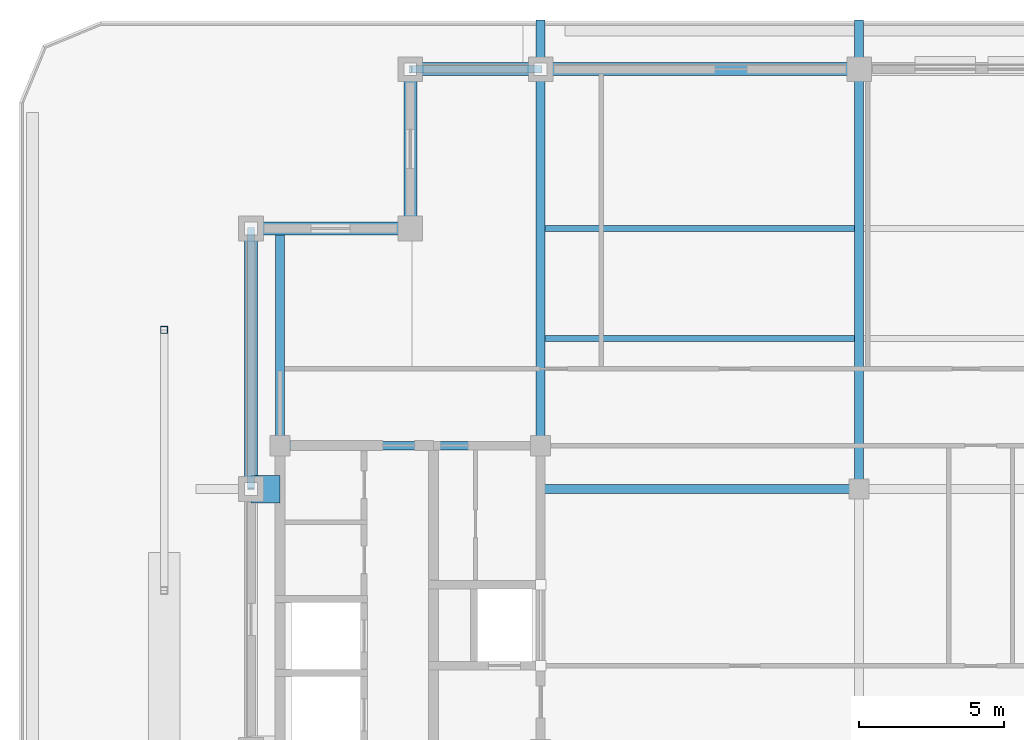
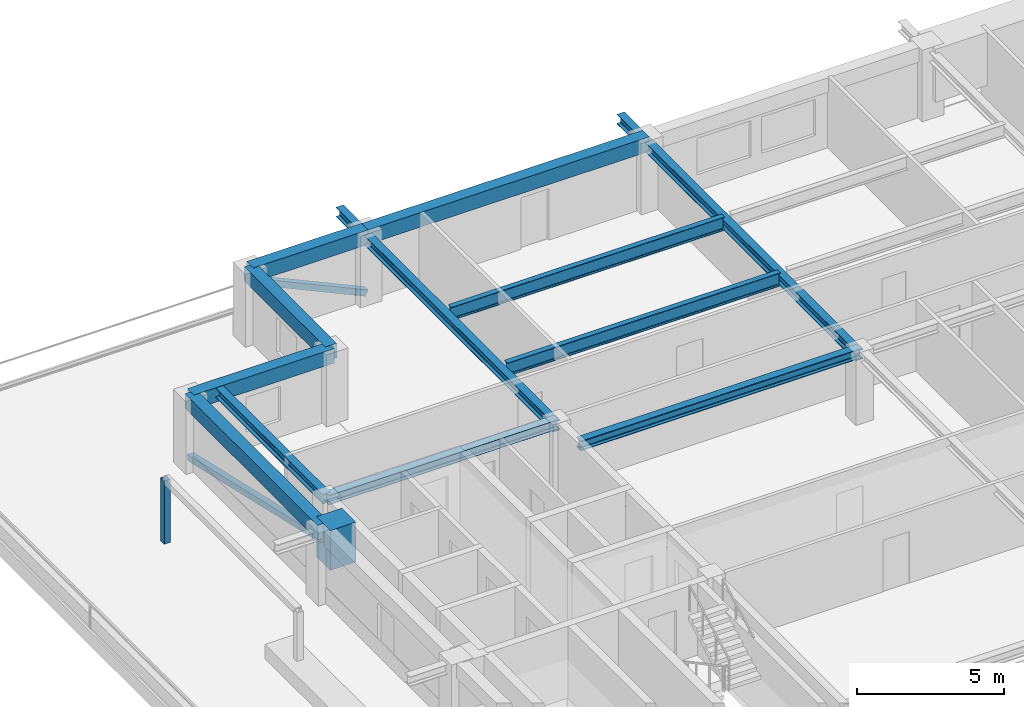
# One storey, part 4 of 14: 15 beams, 3 members.
"""IFC4 building model written with IfcOpenShell, lengths in metres."""

from ifc_helpers import new_model, si_unit, direction, frame, origin, origin_2d, place, context, subcontext, project, spatial, rectangle, hollow_rectangle, i_section, extrude, material, material_profile, profile_set, type_object, element, save


model = new_model("IFC4")

# Units and contexts
model_context = context("Model", 3, precision=1e-05, world=origin(), true_north=direction((0.0, 1.0)))
body_context = subcontext(model_context, "Body", "Model", "MODEL_VIEW")
ifc_project = project(units=[si_unit("LENGTHUNIT", "METRE"), si_unit("AREAUNIT", "SQUARE_METRE"), si_unit("VOLUMEUNIT", "CUBIC_METRE"), si_unit("PLANEANGLEUNIT", "RADIAN"), si_unit("MASSUNIT", "GRAM", prefix="KILO")], contexts=[model_context])

# Site, building, storey
site_placement = place(None, origin())
site = spatial("IfcSite", under=ifc_project, at=site_placement, CompositionType="ELEMENT")
building_placement = place(site_placement, origin())
building = spatial("IfcBuilding", under=site, at=building_placement, Name="Zulmaris Gate Convention Tower", CompositionType="ELEMENT")
storey_placement = place(building_placement, frame((0.0, 0.0, 226.820068359375)))
storey = spatial("IfcBuildingStorey", under=building, at=storey_placement, Name="L59", CompositionType="ELEMENT", Elevation=226.820068359375)

# Beams
ifc_material_1 = material(Name="Steel S355", Category="steel")
ifc_material_profile_1 = material_profile(ifc_material_1, i_section(OverallWidth=0.300048828125, OverallDepth=0.39990234375, WebThickness=0.013427734375, FlangeThickness=0.02392578125, FilletRadius=0.027099609375, at=origin_2d()), Name="HEB 400")
ifc_profile_set_1 = profile_set([ifc_material_profile_1], Name="Steel S355")
beam_type_1 = type_object("IfcBeamType", Name="BM-HEB400", PredefinedType="BEAM", material=ifc_profile_set_1)
for number, where, z_axis, x_axis, name in (
    (1, (-11.0, 23.5, 2.60302734375), (0.0, 1.0, 0.0), (-1.0, 0.0, 0.0), "L59 Beam TBRK-L59-N--11"),
    (2, (0.0, 23.5, 2.60302734375), (0.0, 1.0, 0.0), (-1.0, 0.0, 0.0), "L59 Beam TBRK-L59-N-+0"),
):
    element("IfcBeam", number, at=place(storey_placement, frame(where, z_axis=z_axis, x_axis=x_axis)), inside=storey, type_object=beam_type_1, Name=name, PredefinedType="BEAM", context=body_context, shape_type="SweptSolid", body=[
        extrude(i_section(OverallWidth=0.300048828125, OverallDepth=0.39990234375, WebThickness=0.013427734375, FlangeThickness=0.02392578125, FilletRadius=0.027099609375, at=origin_2d()), origin(), (0.0, 0.0, 1.0), 1.699951171875),
    ])
beam_1_placement = place(storey_placement, frame((-11.0, 9.0, 2.77783203125), z_axis=(1.0, 0.0, 0.0), x_axis=(0.0, 1.0, 0.0)))
element("IfcBeam", 3, at=beam_1_placement, inside=storey, type_object=beam_type_1, Name="L59 Beam BM-L59-G03", PredefinedType="BEAM", context=body_context, shape_type="SweptSolid", body=[
    extrude(i_section(OverallWidth=0.300048828125, OverallDepth=0.39990234375, WebThickness=0.013427734375, FlangeThickness=0.02392578125, FilletRadius=0.027099609375, at=origin_2d()), origin(), (0.0, 0.0, 1.0), 11.0),
])
beam_2_placement = place(storey_placement, frame((0.0, 9.0, 2.60302734375), z_axis=(0.0, 1.0, 0.0), x_axis=(-1.0, 0.0, 0.0)))
element("IfcBeam", 4, at=beam_2_placement, inside=storey, type_object=beam_type_1, Name="L59 Beam BM-L59-G07", PredefinedType="BEAM", context=body_context, shape_type="SweptSolid", body=[
    extrude(i_section(OverallWidth=0.300048828125, OverallDepth=0.39990234375, WebThickness=0.013427734375, FlangeThickness=0.02392578125, FilletRadius=0.027099609375, at=origin_2d()), origin(), (0.0, 0.0, 1.0), 14.5),
])
beam_3_placement = place(storey_placement, frame((-11.0, 10.5, 2.60302734375), z_axis=(0.0, 1.0, 0.0), x_axis=(-1.0, 0.0, 0.0)))
element("IfcBeam", 5, at=beam_3_placement, inside=storey, type_object=beam_type_1, Name="L59 Beam BM-L59-G09", PredefinedType="BEAM", context=body_context, shape_type="SweptSolid", body=[
    extrude(i_section(OverallWidth=0.300048828125, OverallDepth=0.39990234375, WebThickness=0.013427734375, FlangeThickness=0.02392578125, FilletRadius=0.027099609375, at=origin_2d()), origin(), (0.0, 0.0, 1.0), 13.0),
])
beam_4_placement = place(storey_placement, frame((-20.0, 10.5, 2.77783203125), z_axis=(0.0, 1.0, 0.0), x_axis=(-1.0, 0.0, 0.0)))
element("IfcBeam", 6, at=beam_4_placement, inside=storey, type_object=beam_type_1, Name="L59 Beam BM-L59-G13", PredefinedType="BEAM", context=body_context, shape_type="SweptSolid", body=[
    extrude(i_section(OverallWidth=0.300048828125, OverallDepth=0.39990234375, WebThickness=0.013427734375, FlangeThickness=0.02392578125, FilletRadius=0.027099609375, at=origin_2d()), origin(), (0.0, 0.0, 1.0), 7.5),
])
beam_5_placement = place(storey_placement, frame((-20.0, 10.5, 2.77783203125), z_axis=(1.0, 0.0, 0.0), x_axis=(0.0, 1.0, 0.0)))
element("IfcBeam", 7, at=beam_5_placement, inside=storey, type_object=beam_type_1, Name="L59 Beam BM-L59-G23", PredefinedType="BEAM", context=body_context, shape_type="SweptSolid", body=[
    extrude(i_section(OverallWidth=0.300048828125, OverallDepth=0.39990234375, WebThickness=0.013427734375, FlangeThickness=0.02392578125, FilletRadius=0.027099609375, at=origin_2d()), origin(), (0.0, 0.0, 1.0), 9.0),
])
ifc_material_2 = material(Name="Precast concrete C50/60", Category="concrete")
ifc_material_profile_2 = material_profile(ifc_material_2, rectangle(XDim=0.449951171875, YDim=0.60009765625, at=origin_2d()), Name="RC SPANDREL 450x600")
ifc_profile_set_2 = profile_set([ifc_material_profile_2], Name="Precast concrete C50/60")
beam_type_2 = type_object("IfcBeamType", Name="BM-SP450x600", PredefinedType="SPANDREL", material=ifc_profile_set_2)
beam_6_placement = place(storey_placement, frame((0.0, 23.5, 2.679931640625), z_axis=(-1.0, 0.0, 0.0), x_axis=(0.0, -1.0, 0.0)))
element("IfcBeam", 8, at=beam_6_placement, inside=storey, type_object=beam_type_2, Name="L59 Spandrel SP-L59-15", PredefinedType="SPANDREL", context=body_context, shape_type="SweptSolid", body=[
    extrude(rectangle(XDim=0.449951171875, YDim=0.60009765625, at=origin_2d()), origin(), (0.0, 0.0, 1.0), 11.0),
])
beam_7_placement = place(storey_placement, frame((-11.0, 23.5, 2.679931640625), z_axis=(-1.0, 0.0, 0.0), x_axis=(0.0, -1.0, 0.0)))
element("IfcBeam", 9, at=beam_7_placement, inside=storey, type_object=beam_type_2, Name="L59 Spandrel SP-L59-16", PredefinedType="SPANDREL", context=body_context, shape_type="SweptSolid", body=[
    extrude(rectangle(XDim=0.449951171875, YDim=0.60009765625, at=origin_2d()), origin(), (0.0, 0.0, 1.0), 4.5),
])
for number, where, z_axis, x_axis, name in (
    (10, (-15.5, 23.5, 2.679931640625), (0.0, -1.0, 0.0), (1.0, 0.0, 0.0), "L59 Spandrel SP-L59-17"),
    (11, (-15.5, 18.0, 2.679931640625), (-1.0, 0.0, 0.0), (0.0, -1.0, 0.0), "L59 Spandrel SP-L59-18"),
):
    element("IfcBeam", number, at=place(storey_placement, frame(where, z_axis=z_axis, x_axis=x_axis)), inside=storey, type_object=beam_type_2, Name=name, PredefinedType="SPANDREL", context=body_context, shape_type="SweptSolid", body=[
        extrude(rectangle(XDim=0.449951171875, YDim=0.60009765625, at=origin_2d()), origin(), (0.0, 0.0, 1.0), 5.5),
    ])
beam_8_placement = place(storey_placement, frame((-21.0, 18.0, 2.679931640625), z_axis=(0.0, -1.0, 0.0), x_axis=(1.0, 0.0, 0.0)))
element("IfcBeam", 12, at=beam_8_placement, inside=storey, type_object=beam_type_2, Name="L59 Spandrel SP-L59-19", PredefinedType="SPANDREL", context=body_context, shape_type="SweptSolid", body=[
    extrude(rectangle(XDim=0.449951171875, YDim=0.60009765625, at=origin_2d()), origin(), (0.0, 0.0, 1.0), 9.0),
])
ifc_material_3 = material(Name="Concrete C80/95", Category="concrete")
ifc_material_profile_3 = material_profile(ifc_material_3, rectangle(XDim=0.949951171875, YDim=1.64990234375, at=origin_2d()), Name="RC TRANSFER 950x1650")
ifc_profile_set_3 = profile_set([ifc_material_profile_3], Name="Concrete C80/95")
beam_type_3 = type_object("IfcBeamType", Name="BM-XFER1650", PredefinedType="BEAM", material=ifc_profile_set_3)
beam_9_placement = place(storey_placement, frame((-21.0, 9.0, 2.155029296875), z_axis=(1.0, 0.0, 0.0), x_axis=(0.0, 1.0, 0.0)))
element("IfcBeam", 13, at=beam_9_placement, inside=storey, type_object=beam_type_3, Name="L59 Beam BM-L59-G18", PredefinedType="BEAM", context=body_context, shape_type="SweptSolid", body=[
    extrude(rectangle(XDim=0.949951171875, YDim=1.64990234375, at=origin_2d()), origin(), (0.0, 0.0, 1.0), 1.0),
])

# Members
ifc_material_profile_4 = material_profile(ifc_material_1, hollow_rectangle(XDim=0.25, YDim=0.25, WallThickness=0.012451171875, at=origin_2d()), Name="SHS 250x250x12.5")
ifc_profile_set_4 = profile_set([ifc_material_profile_4], Name="Steel S355")
member_type_1 = type_object("IfcMemberType", Name="BR-SHS250", PredefinedType="BRACE", material=ifc_profile_set_4)
member_1_placement = place(storey_placement, frame((-21.0, 18.0, 0.300048828125), z_axis=(0.0, -0.974795611755, 0.223099787771), x_axis=(1.0, 0.0, 0.0)))
element("IfcMember", 14, at=member_1_placement, inside=storey, type_object=member_type_1, Name="L59 Perimeter Tube Diagonal NW-W", PredefinedType="BRACE", context=body_context, shape_type="SweptSolid", body=[
    extrude(hollow_rectangle(XDim=0.25, YDim=0.25, WallThickness=0.012451171875, at=origin_2d()), origin(), (0.0, 0.0, 1.0), 9.232666015625),
])
member_2_placement = place(storey_placement, frame((-11.0, 23.5, 0.300048828125), z_axis=(-0.909270246609, 0.0, 0.41620622128), x_axis=(0.0, -1.0, 0.0)))
element("IfcMember", 15, at=member_2_placement, inside=storey, type_object=member_type_1, Name="L59 Perimeter Tube Diagonal NW-N", PredefinedType="BRACE", context=body_context, shape_type="SweptSolid", body=[
    extrude(hollow_rectangle(XDim=0.25, YDim=0.25, WallThickness=0.012451171875, at=origin_2d()), origin(), (0.0, 0.0, 1.0), 4.948974609375),
])

# Beams
ifc_material_profile_5 = material_profile(ifc_material_1, i_section(OverallWidth=0.2099609375, OverallDepth=0.550048828125, WebThickness=0.010986328125, FlangeThickness=0.01708984375, FilletRadius=0.02392578125, at=origin_2d()), Name="IPE 550")
ifc_profile_set_5 = profile_set([ifc_material_profile_5], Name="Steel S355")
beam_type_4 = type_object("IfcBeamType", Name="JT-IPE550", PredefinedType="JOIST", material=ifc_profile_set_5)
for number, where, z_axis, x_axis, name in (
    (16, (-10.85009765625, 14.199951171875, 2.702880859375), (1.0, 0.0, 0.0), (0.0, 1.0, 0.0), "L59 Joist JT-L59-CW-+14.2"),
    (17, (-10.85009765625, 18.0, 2.702880859375), (1.0, 0.0, 0.0), (0.0, 1.0, 0.0), "L59 Joist JT-L59-CW-+18.0"),
):
    element("IfcBeam", number, at=place(storey_placement, frame(where, z_axis=z_axis, x_axis=x_axis)), inside=storey, type_object=beam_type_4, Name=name, PredefinedType="JOIST", context=body_context, shape_type="SweptSolid", body=[
        extrude(i_section(OverallWidth=0.2099609375, OverallDepth=0.550048828125, WebThickness=0.010986328125, FlangeThickness=0.01708984375, FilletRadius=0.02392578125, at=origin_2d()), origin(), (0.0, 0.0, 1.0), 10.7001953125),
    ])

# Member
ifc_material_profile_6 = material_profile(ifc_material_1, hollow_rectangle(XDim=0.25, YDim=0.25, WallThickness=0.012451171875, at=origin_2d()), Name="SHS 250x250x12.5")
ifc_profile_set_6 = profile_set([ifc_material_profile_6], Name="Steel S355")
member_type_2 = type_object("IfcMemberType", Name="ST-SHS250", PredefinedType="STRUT", material=ifc_profile_set_6)
member_3_placement = place(storey_placement, frame((-24.0, 14.5, -0.0400390625), z_axis=(0.0, 0.0, 1.0), x_axis=(1.0, 0.0, 0.0)))
element("IfcMember", 18, at=member_3_placement, inside=storey, type_object=member_type_2, Name="L59 Exposed Terrace Planted Pergola Post 2B", PredefinedType="STRUT", context=body_context, shape_type="SweptSolid", body=[
    extrude(hollow_rectangle(XDim=0.25, YDim=0.25, WallThickness=0.012451171875, at=origin_2d()), origin(), (0.0, 0.0, 1.0), 2.60009765625),
])

save(model, "model.ifc")
